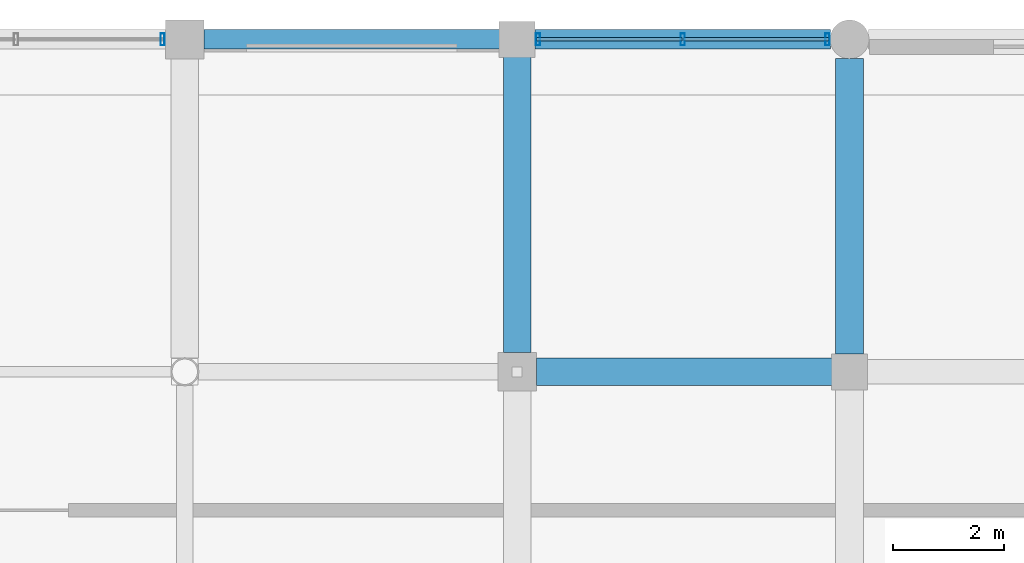
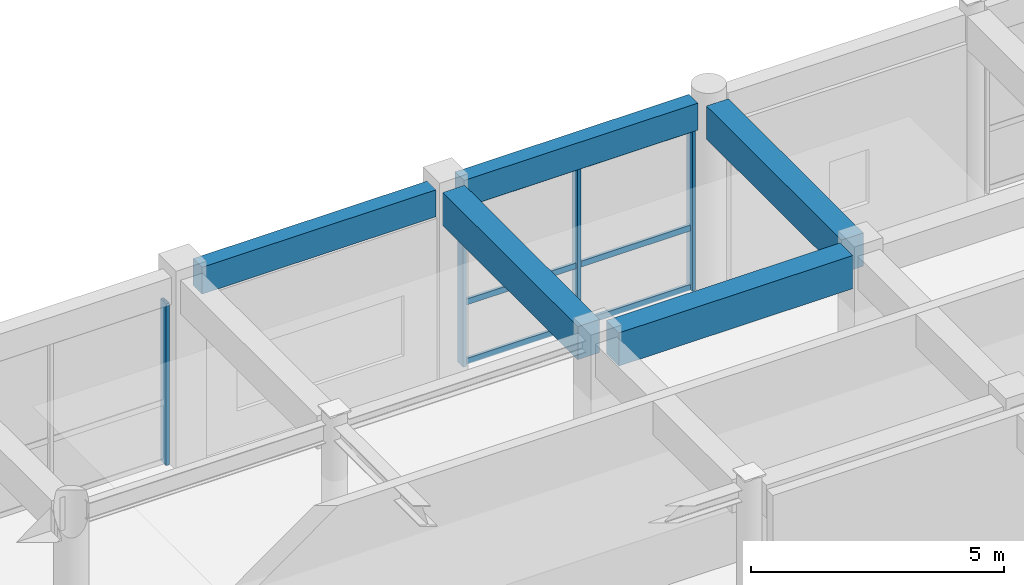
# One storey, part 55 of 112: 10 members, 5 beams, 2 elements without a shape of their own.
"""IFC4 building model written with IfcOpenShell, lengths in metres."""

from ifc_helpers import new_model, si_unit, direction, frame, origin, origin_2d, place, context, subcontext, project, spatial, rectangle, hollow_rectangle, extrude, material, material_profile, profile_set, type_object, element, aggregate, save


model = new_model("IFC4")

# Units and contexts
model_context = context("Model", 3, precision=1e-05, world=origin(), true_north=direction((0.0, 1.0)))
body_context = subcontext(model_context, "Body", "Model", "MODEL_VIEW")
ifc_project = project(units=[si_unit("LENGTHUNIT", "METRE"), si_unit("AREAUNIT", "SQUARE_METRE"), si_unit("VOLUMEUNIT", "CUBIC_METRE"), si_unit("PLANEANGLEUNIT", "RADIAN"), si_unit("MASSUNIT", "GRAM", prefix="KILO"), si_unit("THERMODYNAMICTEMPERATUREUNIT", "KELVIN"), si_unit("POWERUNIT", "WATT")], contexts=[model_context])

# Site, building, storey
site_placement = place(None, origin())
site = spatial("IfcSite", under=ifc_project, at=site_placement, CompositionType="ELEMENT")
building_placement = place(site_placement, origin())
building = spatial("IfcBuilding", under=site, at=building_placement, Name="Phaisarnlok Congress Hotel", CompositionType="ELEMENT")
storey_placement = place(building_placement, frame((0.0, 0.0, 19.800048828125)))
storey = spatial("IfcBuildingStorey", under=building, at=storey_placement, Name="L04", CompositionType="ELEMENT", Elevation=19.800048828125)

# Beams
ifc_material_1 = material(Name="Concrete C40/50", Category="concrete")
ifc_material_profile_1 = material_profile(ifc_material_1, rectangle(XDim=0.5, YDim=0.800048828125, at=origin_2d()), Name="RC 500x800")
ifc_profile_set_1 = profile_set([ifc_material_profile_1], Name="Concrete C40/50")
beam_type_1 = type_object("IfcBeamType", Name="BM-RC-500x800", PredefinedType="BEAM", material=ifc_profile_set_1)
for number, where, z_axis, x_axis, name in (
    (1, (120.344970703125, 120.0, 4.14990234375), (1.0, 0.0, 0.0), (0.0, 1.0, 0.0), "Beam B-04"),
    (2, (120.0, 120.344970703125, 4.14990234375), (0.0, 1.0, 0.0), (-1.0, 0.0, 0.0), "Beam B-04"),
    (3, (126.0, 120.320068359375, 4.14990234375), (0.0, 1.0, 0.0), (-1.0, 0.0, 0.0), "Beam B-04"),
):
    element("IfcBeam", number, at=place(storey_placement, frame(where, z_axis=z_axis, x_axis=x_axis)), inside=storey, type_object=beam_type_1, Name=name, PredefinedType="BEAM", context=body_context, shape_type="SweptSolid", body=[
        extrude(rectangle(XDim=0.5, YDim=0.800048828125, at=origin_2d()), origin(), (0.0, 0.0, 1.0), 5.3349609375),
    ])

# Curtain wall, members
ifc_material_2 = material(Name="Thermally Broken Unitised Aluminium & Low-E Glazing", Category="aluminium")
curtain_wall_type_1 = type_object("IfcCurtainWallType", Name="CW-UNIT-33", PredefinedType="NOTDEFINED", material=ifc_material_2)
curtain_wall_1_placement = place(storey_placement, origin())
curtain_wall_1 = element("IfcCurtainWall", 4, at=curtain_wall_1_placement, inside=storey, type_object=curtain_wall_type_1, Name="Unitised curtain wall CW-33 (L04)", PredefinedType="NOTDEFINED")
ifc_material_3 = material(Name="Anodised Aluminium Alloy 6063-T6", Category="aluminium")
ifc_material_profile_2 = material_profile(ifc_material_3, hollow_rectangle(XDim=0.074951171875, YDim=0.219970703125, WallThickness=0.0048828125, at=origin_2d()), Name="ALU-M 75x220x5")
ifc_profile_set_2 = profile_set([ifc_material_profile_2], Name="Anodised Aluminium Alloy 6063-T6")
member_type_1 = type_object("IfcMemberType", Name="CWM-220", PredefinedType="MULLION", material=ifc_profile_set_2)
member_1_placement = place(storey_placement, frame((125.60009765625, 126.0, 0.0), z_axis=(0.0, 0.0, 1.0), x_axis=(-1.0, 0.0, 0.0)))
member_1 = element("IfcMember", 5, at=member_1_placement, type_object=member_type_1, Name="Curtain wall mullion CWM-02", PredefinedType="MULLION", context=body_context, shape_type="SweptSolid", body=[
    extrude(hollow_rectangle(XDim=0.074951171875, YDim=0.219970703125, WallThickness=0.0048828125, at=origin_2d()), origin(), (0.0, 0.0, 1.0), 3.89990234375),
])
member_2_placement = place(storey_placement, frame((122.987548828125, 126.0, 0.0), z_axis=(0.0, 0.0, 1.0), x_axis=(-1.0, 0.0, 0.0)))
member_2 = element("IfcMember", 6, at=member_2_placement, type_object=member_type_1, Name="Curtain wall mullion CWM-02", PredefinedType="MULLION", context=body_context, shape_type="SweptSolid", body=[
    extrude(hollow_rectangle(XDim=0.074951171875, YDim=0.219970703125, WallThickness=0.0048828125, at=origin_2d()), origin(), (0.0, 0.0, 1.0), 3.89990234375),
])
member_3_placement = place(storey_placement, frame((120.375, 126.0, 0.0), z_axis=(0.0, 0.0, 1.0), x_axis=(-1.0, 0.0, 0.0)))
member_3 = element("IfcMember", 7, at=member_3_placement, type_object=member_type_1, Name="Curtain wall mullion CWM-02", PredefinedType="MULLION", context=body_context, shape_type="SweptSolid", body=[
    extrude(hollow_rectangle(XDim=0.074951171875, YDim=0.219970703125, WallThickness=0.0048828125, at=origin_2d()), origin(), (0.0, 0.0, 1.0), 3.89990234375),
])

# Curtain wall, member
curtain_wall_type_2 = type_object("IfcCurtainWallType", Name="CW-UNIT-34", PredefinedType="NOTDEFINED", material=ifc_material_2)
curtain_wall_2_placement = place(storey_placement, origin())
curtain_wall_2 = element("IfcCurtainWall", 8, at=curtain_wall_2_placement, inside=storey, type_object=curtain_wall_type_2, Name="Unitised curtain wall CW-34 (L04)", PredefinedType="NOTDEFINED")
member_4_placement = place(storey_placement, frame((113.60009765625, 126.0, 0.0), z_axis=(0.0, 0.0, 1.0), x_axis=(-1.0, 0.0, 0.0)))
member_4 = element("IfcMember", 9, at=member_4_placement, type_object=member_type_1, Name="Curtain wall mullion CWM-02", PredefinedType="MULLION", context=body_context, shape_type="SweptSolid", body=[
    extrude(hollow_rectangle(XDim=0.074951171875, YDim=0.219970703125, WallThickness=0.0048828125, at=origin_2d()), origin(), (0.0, 0.0, 1.0), 3.89990234375),
])
aggregate(curtain_wall_2, [member_4])

# Member
ifc_material_profile_3 = material_profile(ifc_material_3, hollow_rectangle(XDim=0.06494140625, YDim=0.139892578125, WallThickness=0.00390625, at=origin_2d()), Name="ALU-T 65x140x4")
ifc_profile_set_3 = profile_set([ifc_material_profile_3], Name="Anodised Aluminium Alloy 6063-T6")
member_type_2 = type_object("IfcMemberType", Name="CWT-150", PredefinedType="USERDEFINED", material=ifc_profile_set_3)
member_5_placement = place(storey_placement, frame((125.625, 126.0, 0.050048828125), z_axis=(-1.0, 0.0, 0.0), x_axis=(0.0, -1.0, 0.0)))
member_5 = element("IfcMember", 10, at=member_5_placement, type_object=member_type_2, Name="Curtain wall transom CWT-01", ObjectType="TRANSOM", PredefinedType="USERDEFINED", context=body_context, shape_type="SweptSolid", body=[
    extrude(hollow_rectangle(XDim=0.06494140625, YDim=0.139892578125, WallThickness=0.00390625, at=origin_2d()), origin(), (0.0, 0.0, 1.0), 2.62255859375),
])

member_6_placement = place(storey_placement, frame((125.625, 126.0, 1.48193359375), z_axis=(-1.0, 0.0, 0.0), x_axis=(0.0, -1.0, 0.0)))
member_6 = element("IfcMember", 11, at=member_6_placement, type_object=member_type_2, Name="Curtain wall transom CWT-01", ObjectType="TRANSOM", PredefinedType="USERDEFINED", context=body_context, shape_type="SweptSolid", body=[
    extrude(hollow_rectangle(XDim=0.06494140625, YDim=0.139892578125, WallThickness=0.00390625, at=origin_2d()), origin(), (0.0, 0.0, 1.0), 2.62255859375),
])

member_7_placement = place(storey_placement, frame((125.625, 126.0, 3.849853515625), z_axis=(-1.0, 0.0, 0.0), x_axis=(0.0, -1.0, 0.0)))
member_7 = element("IfcMember", 12, at=member_7_placement, type_object=member_type_2, Name="Curtain wall transom CWT-01", ObjectType="TRANSOM", PredefinedType="USERDEFINED", context=body_context, shape_type="SweptSolid", body=[
    extrude(hollow_rectangle(XDim=0.06494140625, YDim=0.139892578125, WallThickness=0.00390625, at=origin_2d()), origin(), (0.0, 0.0, 1.0), 2.62255859375),
])

member_8_placement = place(storey_placement, frame((122.972412109375, 126.0, 0.050048828125), z_axis=(-1.0, 0.0, 0.0), x_axis=(0.0, -1.0, 0.0)))
member_8 = element("IfcMember", 13, at=member_8_placement, type_object=member_type_2, Name="Curtain wall transom CWT-01", ObjectType="TRANSOM", PredefinedType="USERDEFINED", context=body_context, shape_type="SweptSolid", body=[
    extrude(hollow_rectangle(XDim=0.06494140625, YDim=0.139892578125, WallThickness=0.00390625, at=origin_2d()), origin(), (0.0, 0.0, 1.0), 2.622314453125),
])

member_9_placement = place(storey_placement, frame((122.972412109375, 126.0, 1.48193359375), z_axis=(-1.0, 0.0, 0.0), x_axis=(0.0, -1.0, 0.0)))
member_9 = element("IfcMember", 14, at=member_9_placement, type_object=member_type_2, Name="Curtain wall transom CWT-01", ObjectType="TRANSOM", PredefinedType="USERDEFINED", context=body_context, shape_type="SweptSolid", body=[
    extrude(hollow_rectangle(XDim=0.06494140625, YDim=0.139892578125, WallThickness=0.00390625, at=origin_2d()), origin(), (0.0, 0.0, 1.0), 2.622314453125),
])

member_10_placement = place(storey_placement, frame((122.972412109375, 126.0, 3.849853515625), z_axis=(-1.0, 0.0, 0.0), x_axis=(0.0, -1.0, 0.0)))
member_10 = element("IfcMember", 15, at=member_10_placement, type_object=member_type_2, Name="Curtain wall transom CWT-01", ObjectType="TRANSOM", PredefinedType="USERDEFINED", context=body_context, shape_type="SweptSolid", body=[
    extrude(hollow_rectangle(XDim=0.06494140625, YDim=0.139892578125, WallThickness=0.00390625, at=origin_2d()), origin(), (0.0, 0.0, 1.0), 2.622314453125),
])

aggregate(curtain_wall_1, [member_1, member_2, member_3, member_5, member_6, member_7, member_8, member_9, member_10])

# Beams
ifc_material_profile_4 = material_profile(ifc_material_1, rectangle(XDim=0.35009765625, YDim=0.64990234375, at=origin_2d()), Name="RC 350x650")
ifc_profile_set_4 = profile_set([ifc_material_profile_4], Name="Concrete C40/50")
beam_type_2 = type_object("IfcBeamType", Name="SP-RC-350x650", PredefinedType="SPANDREL", material=ifc_profile_set_4)
for number, where, z_axis, x_axis, name in (
    (16, (114.344970703125, 126.0, 4.224853515625), (1.0, 0.0, 0.0), (0.0, 1.0, 0.0), "Beam SP-01"),
    (17, (120.320068359375, 126.0, 4.224853515625), (1.0, 0.0, 0.0), (0.0, 1.0, 0.0), "Beam SP-01"),
):
    element("IfcBeam", number, at=place(storey_placement, frame(where, z_axis=z_axis, x_axis=x_axis)), inside=storey, type_object=beam_type_2, Name=name, PredefinedType="SPANDREL", context=body_context, shape_type="SweptSolid", body=[
        extrude(rectangle(XDim=0.35009765625, YDim=0.64990234375, at=origin_2d()), origin(), (0.0, 0.0, 1.0), 5.3349609375),
    ])

save(model, "model.ifc")
